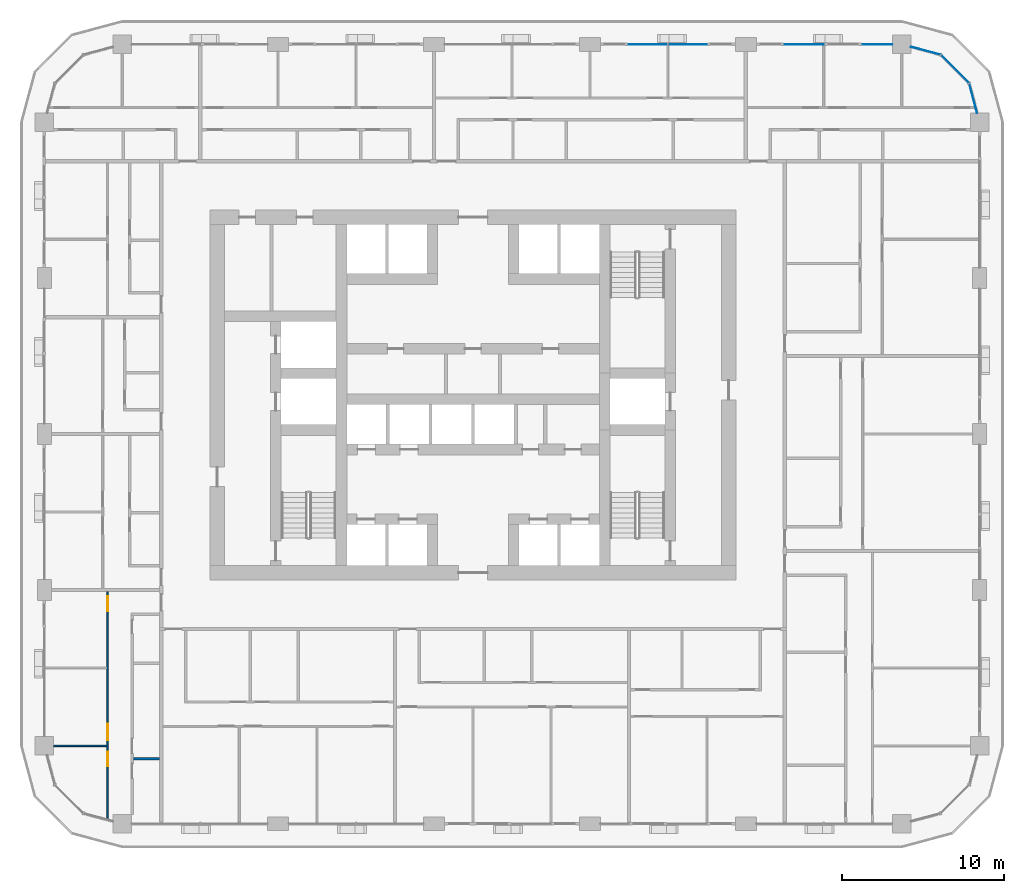
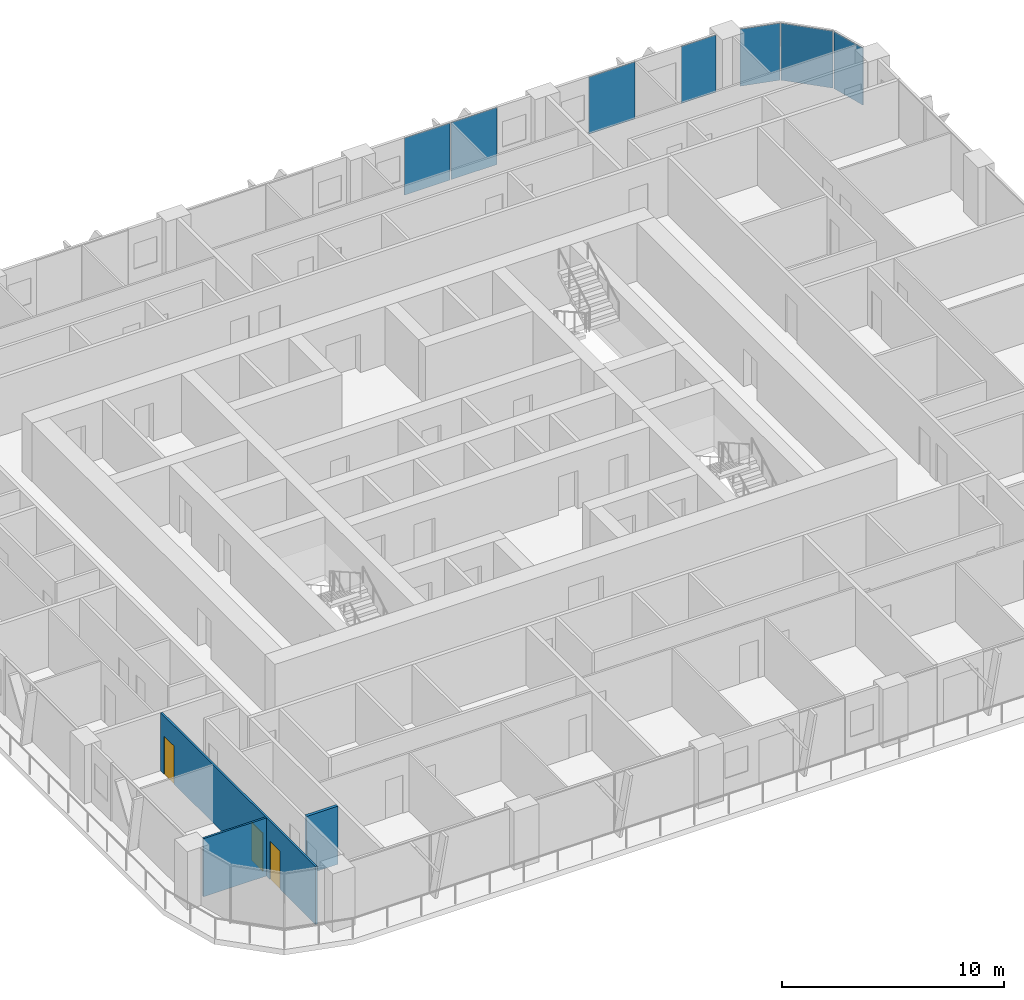
# One storey, part 8 of 22: 7 plates, 3 doors, 3 walls, 3 openings, 3 elements without a shape of their own.
"""IFC4 building model written with IfcOpenShell, lengths in metres."""

from ifc_helpers import new_model, si_unit, direction, frame, frame_2d, origin, origin_2d, place, context, subcontext, project, spatial, rectangle, extrude, material, layer, layer_set, type_object, element, fill, aggregate, save


model = new_model("IFC4")

# Units and contexts
model_context = context("Model", 3, precision=1e-05, world=origin(), true_north=direction((0.0, 1.0)))
body_context = subcontext(model_context, "Body", "Model", "MODEL_VIEW")
ifc_project = project(units=[si_unit("LENGTHUNIT", "METRE"), si_unit("AREAUNIT", "SQUARE_METRE"), si_unit("VOLUMEUNIT", "CUBIC_METRE"), si_unit("PLANEANGLEUNIT", "RADIAN"), si_unit("MASSUNIT", "GRAM", prefix="KILO")], contexts=[model_context])

# Site, building, storey
site_placement = place(None, origin())
site = spatial("IfcSite", under=ifc_project, at=site_placement, CompositionType="ELEMENT")
building_placement = place(site_placement, origin())
building = spatial("IfcBuilding", under=site, at=building_placement, Name="Madar Terraces", CompositionType="ELEMENT")
storey_placement = place(building_placement, frame((0.0, 0.0, 66.300048828125)))
storey = spatial("IfcBuildingStorey", under=building, at=storey_placement, Name="L16", CompositionType="ELEMENT", Elevation=66.300048828125)

# Curtain wall, plates
ifc_material_1 = material(Name="Glass, ceramic frit dark grey, with black aluminium frame", Category="aluminium")
ifc_layer_1 = layer(ifc_material_1, 0.199951171875)
ifc_layer_set_1 = layer_set([ifc_layer_1], Name="Facade curtain wall, fritted glass")
curtain_wall_type = type_object("IfcCurtainWallType", Name="Facade curtain wall, fritted glass", PredefinedType="NOTDEFINED", material=ifc_layer_set_1)
curtain_wall_1_placement = place(storey_placement, origin())
curtain_wall_1 = element("IfcCurtainWall", 1, at=curtain_wall_1_placement, inside=storey, type_object=curtain_wall_type, Name="Outer skin curtain wall north bay 1", PredefinedType="NOTDEFINED")
ifc_material_2 = material(Name="Glass, ceramic frit dark grey", Category="glass")
ifc_layer_2 = layer(ifc_material_2, 0.028076171875)
ifc_layer_set_2 = layer_set([ifc_layer_2], Name="Facade glass panel 28")
plate_type = type_object("IfcPlateType", Name="Facade glass panel 28", PredefinedType="CURTAIN_PANEL", material=ifc_layer_set_2)
plate_1_placement = place(storey_placement, frame((56.112548828125, 48.0, 0.0), z_axis=(0.0, 0.0, 1.0), x_axis=(-1.0, 0.0, 0.0)))
plate_1 = element("IfcPlate", 2, at=plate_1_placement, type_object=plate_type, Name="Panel 1", PredefinedType="CURTAIN_PANEL", context=body_context, shape_type="SweptSolid", body=[
    extrude(rectangle(XDim=1.824951171875, YDim=0.028076171875, at=origin_2d()), origin(), (0.0, 0.0, 1.0), 3.139892578125),
])
plate_2_placement = place(storey_placement, frame((51.60009765625, 48.0, 0.0), z_axis=(0.0, 0.0, 1.0), x_axis=(-1.0, 0.0, 0.0)))
plate_2 = element("IfcPlate", 3, at=plate_2_placement, type_object=plate_type, Name="Panel 2", PredefinedType="CURTAIN_PANEL", context=body_context, shape_type="SweptSolid", body=[
    extrude(rectangle(XDim=2.39990234375, YDim=0.028076171875, at=origin_2d()), origin(), (0.0, 0.0, 1.0), 3.139892578125),
])
aggregate(curtain_wall_1, [plate_1, plate_2])

curtain_wall_2_placement = place(storey_placement, origin())
curtain_wall_2 = element("IfcCurtainWall", 4, at=curtain_wall_2_placement, inside=storey, type_object=curtain_wall_type, Name="Outer skin curtain wall north bay 2", PredefinedType="NOTDEFINED")
plate_3_placement = place(storey_placement, frame((44.4150390625, 48.0, 0.0), z_axis=(0.0, 0.0, 1.0), x_axis=(-1.0, 0.0, 0.0)))
plate_3 = element("IfcPlate", 5, at=plate_3_placement, type_object=plate_type, Name="Panel 1", PredefinedType="CURTAIN_PANEL", context=body_context, shape_type="SweptSolid", body=[
    extrude(rectangle(XDim=2.3701171875, YDim=0.028076171875, at=origin_2d()), origin(), (0.0, 0.0, 1.0), 3.139892578125),
])
plate_4_placement = place(storey_placement, frame((41.985107421875, 48.0, 0.0), z_axis=(0.0, 0.0, 1.0), x_axis=(-1.0, 0.0, 0.0)))
plate_4 = element("IfcPlate", 6, at=plate_4_placement, type_object=plate_type, Name="Panel 2", PredefinedType="CURTAIN_PANEL", context=body_context, shape_type="SweptSolid", body=[
    extrude(rectangle(XDim=2.3701171875, YDim=0.028076171875, at=origin_2d()), origin(), (0.0, 0.0, 1.0), 3.139892578125),
])
aggregate(curtain_wall_2, [plate_3, plate_4])

curtain_wall_3_placement = place(storey_placement, origin())
curtain_wall_3 = element("IfcCurtainWall", 7, at=curtain_wall_3_placement, inside=storey, type_object=curtain_wall_type, Name="Outer skin curtain wall north-east corner", PredefinedType="NOTDEFINED")
plate_5_placement = place(storey_placement, frame((62.00537109375, 44.673095703125, 0.0), z_axis=(0.0, 0.0, 1.0), x_axis=(-0.258819021888, 0.965925832509, 0.0)))
plate_5 = element("IfcPlate", 8, at=plate_5_placement, type_object=plate_type, Name="Panel 1", PredefinedType="CURTAIN_PANEL", context=body_context, shape_type="SweptSolid", body=[
    extrude(rectangle(XDim=1.859375, YDim=0.028076171875, at=origin_2d()), origin(), (0.0, 0.0, 1.0), 3.139892578125),
])
plate_6_placement = place(storey_placement, frame((60.87841796875, 46.478515625, 0.0), z_axis=(0.0, 0.0, 1.0), x_axis=(-0.707106781187, 0.707106781187, 0.0)))
plate_6 = element("IfcPlate", 9, at=plate_6_placement, type_object=plate_type, Name="Panel 2", PredefinedType="CURTAIN_PANEL", context=body_context, shape_type="SweptSolid", body=[
    extrude(rectangle(XDim=2.424560546875, YDim=0.028076171875, at=origin_2d()), origin(), (0.0, 0.0, 1.0), 3.139892578125),
])
plate_7_placement = place(storey_placement, frame((59.072998046875, 47.605224609375, 0.0), z_axis=(0.0, 0.0, 1.0), x_axis=(-0.965925832509, 0.258819021888, 0.0)))
plate_7 = element("IfcPlate", 10, at=plate_7_placement, type_object=plate_type, Name="Panel 3", PredefinedType="CURTAIN_PANEL", context=body_context, shape_type="SweptSolid", body=[
    extrude(rectangle(XDim=1.859375, YDim=0.028076171875, at=origin_2d()), origin(), (0.0, 0.0, 1.0), 3.139892578125),
])
aggregate(curtain_wall_3, [plate_5, plate_6, plate_7])

# Wall
ifc_material_3 = material(Name="Gypsum board on steel studs", Category="steel")
ifc_layer_3 = layer(ifc_material_3, 0.10009765625)
ifc_layer_set_3 = layer_set([ifc_layer_3], Name="Flat partition 100")
wall_type_1 = type_object("IfcWallType", Name="Flat partition 100", PredefinedType="PARTITIONING", material=ifc_layer_set_3)
wall_1_placement = place(storey_placement, frame((8.64990234375, 4.800048828125, 0.0), z_axis=(0.0, 0.0, 1.0), x_axis=(-1.0, 0.0, 0.0)))
element("IfcWall", 11, at=wall_1_placement, inside=storey, type_object=wall_type_1, Name="Flat partition 100", PredefinedType="PARTITIONING", context=body_context, shape_type="SweptSolid", body=[
    extrude(rectangle(XDim=3.27490234375, YDim=0.10009765625, at=frame_2d((1.637451171875, 0.0))), origin(), (0.0, 0.0, 1.0), 3.199951171875),
])

# Wall, openings, doors
wall_2_placement = place(storey_placement, frame((8.699951171875, 0.34130859375, 0.0), z_axis=(0.0, 0.0, 1.0), x_axis=(0.0, 1.0, 0.0)))
wall_2 = element("IfcWall", 12, at=wall_2_placement, inside=storey, type_object=wall_type_1, Name="Flat partition 100", PredefinedType="PARTITIONING", context=body_context, shape_type="SweptSolid", body=[
    extrude(rectangle(XDim=13.958740234375, YDim=0.10009765625, at=frame_2d((6.9794921875, 0.0))), origin(), (0.0, 0.0, 1.0), 3.199951171875),
])
opening_1_placement = place(wall_2_placement, frame((12.7587890625, 0.0, 0.0)))
opening_1 = element("IfcOpeningElement", 13, at=opening_1_placement, cuts=wall_2, Name="Opening D2", PredefinedType="OPENING", context=body_context, shape_type="SweptSolid", body=[
    extrude(rectangle(XDim=0.89990234375, YDim=2.10009765625, at=frame_2d((0.449951171875, 1.050048828125))), frame((0.0, 0.06005859375, 0.0), z_axis=(0.0, -1.0, 0.0), x_axis=(1.0, 0.0, 0.0)), (0.0, 0.0, 1.0), 0.1201171875),
])
opening_2_placement = place(wall_2_placement, frame((4.808837890625, 0.0, 0.0)))
opening_2 = element("IfcOpeningElement", 14, at=opening_2_placement, cuts=wall_2, Name="Opening D3", PredefinedType="OPENING", context=body_context, shape_type="SweptSolid", body=[
    extrude(rectangle(XDim=1.0, YDim=2.10009765625, at=frame_2d((0.5, 1.050048828125))), frame((0.0, 0.06005859375, 0.0), z_axis=(0.0, -1.0, 0.0), x_axis=(1.0, 0.0, 0.0)), (0.0, 0.0, 1.0), 0.1201171875),
])
opening_3_placement = place(wall_2_placement, frame((3.208740234375, 0.0, 0.0)))
opening_3 = element("IfcOpeningElement", 15, at=opening_3_placement, cuts=wall_2, Name="Opening D2", PredefinedType="OPENING", context=body_context, shape_type="SweptSolid", body=[
    extrude(rectangle(XDim=0.89990234375, YDim=2.10009765625, at=frame_2d((0.449951171875, 1.050048828125))), frame((0.0, 0.06005859375, 0.0), z_axis=(0.0, -1.0, 0.0), x_axis=(1.0, 0.0, 0.0)), (0.0, 0.0, 1.0), 0.1201171875),
])
ifc_material_4 = material(Name="Timber door leaf", Category="wood")
door_type_1 = type_object("IfcDoorType", Name="Flat living room door 1000", OperationType="NOTDEFINED", PredefinedType="DOOR", material=ifc_material_4)
door_1_placement = place(opening_2_placement, origin())
door_1 = element("IfcDoor", 16, at=door_1_placement, inside=storey, type_object=door_type_1, Name="Flat living room door 1000", OperationType="SINGLE_SWING_LEFT", OverallHeight=2.10009765625, OverallWidth=1.0, PredefinedType="DOOR", context=body_context, shape_type="SweptSolid", body=[
    extrude(rectangle(XDim=1.0, YDim=2.10009765625, at=frame_2d((0.5, 1.050048828125))), frame((0.0, 0.02490234375, 0.0), z_axis=(0.0, -1.0, 0.0), x_axis=(1.0, 0.0, 0.0)), (0.0, 0.0, 1.0), 0.050048828125),
])
fill(opening_2, door_1)
ifc_material_5 = material(Name="Timber door leaf", Category="wood")
door_type_2 = type_object("IfcDoorType", Name="Flat room door 900", OperationType="NOTDEFINED", PredefinedType="DOOR", material=ifc_material_5)
door_2_placement = place(opening_1_placement, origin())
door_2 = element("IfcDoor", 17, at=door_2_placement, inside=storey, type_object=door_type_2, Name="Flat room door 900", OperationType="SINGLE_SWING_RIGHT", OverallHeight=2.10009765625, OverallWidth=0.89990234375, PredefinedType="DOOR", context=body_context, shape_type="SweptSolid", body=[
    extrude(rectangle(XDim=0.89990234375, YDim=2.10009765625, at=frame_2d((0.449951171875, 1.050048828125))), frame((0.0, 0.02490234375, 0.0), z_axis=(0.0, -1.0, 0.0), x_axis=(1.0, 0.0, 0.0)), (0.0, 0.0, 1.0), 0.050048828125),
])
fill(opening_1, door_2)
door_3_placement = place(opening_3_placement, origin())
door_3 = element("IfcDoor", 18, at=door_3_placement, inside=storey, type_object=door_type_2, Name="Flat room door 900", OperationType="SINGLE_SWING_RIGHT", OverallHeight=2.10009765625, OverallWidth=0.89990234375, PredefinedType="DOOR", context=body_context, shape_type="SweptSolid", body=[
    extrude(rectangle(XDim=0.89990234375, YDim=2.10009765625, at=frame_2d((0.449951171875, 1.050048828125))), frame((0.0, 0.02490234375, 0.0), z_axis=(0.0, -1.0, 0.0), x_axis=(1.0, 0.0, 0.0)), (0.0, 0.0, 1.0), 0.050048828125),
])
fill(opening_3, door_3)

# Wall
ifc_material_6 = material(Name="Lightweight blockwork", Category="masonry")
ifc_layer_4 = layer(ifc_material_6, 0.14990234375)
ifc_layer_set_4 = layer_set([ifc_layer_4], Name="Flat wet-room partition 150")
wall_type_2 = type_object("IfcWallType", Name="Flat wet-room partition 150", PredefinedType="PARTITIONING", material=ifc_layer_set_4)
wall_3_placement = place(storey_placement, frame((11.89990234375, 4.015380859375, 0.0), z_axis=(0.0, 0.0, 1.0), x_axis=(-1.0, 0.0, 0.0)))
element("IfcWall", 19, at=wall_3_placement, inside=storey, type_object=wall_type_2, Name="Flat wet-room partition 150", PredefinedType="PARTITIONING", context=body_context, shape_type="SweptSolid", body=[
    extrude(rectangle(XDim=1.625, YDim=0.14990234375, at=frame_2d((0.8125, 0.0))), origin(), (0.0, 0.0, 1.0), 3.199951171875),
])

save(model, "model.ifc")
